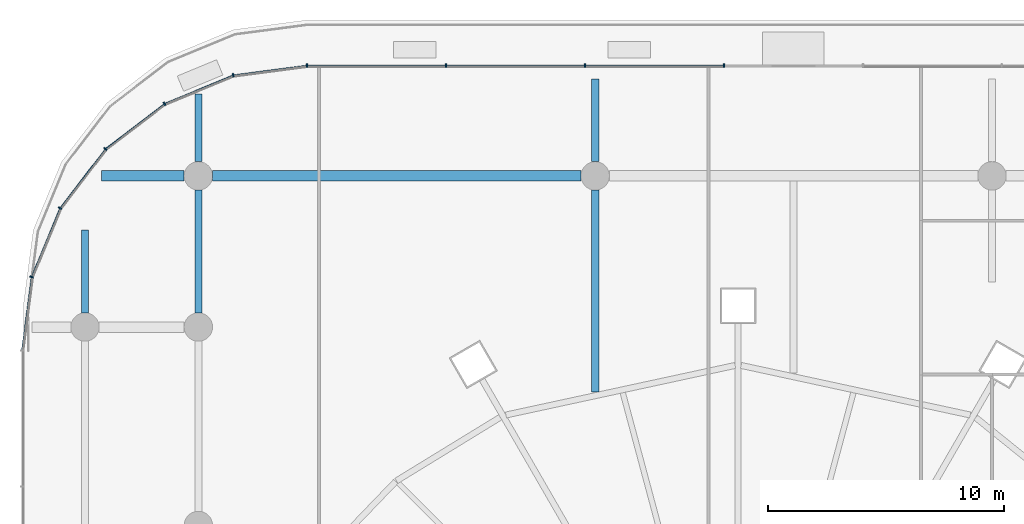
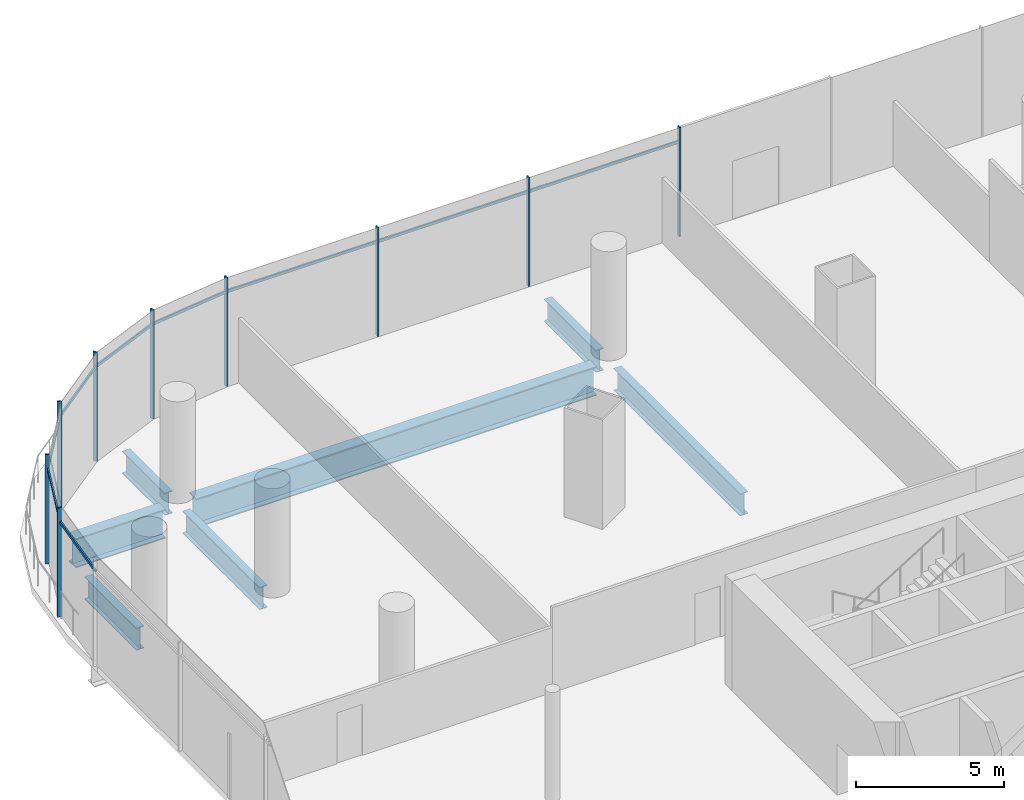
# One storey, part 19 of 43: 18 members, 7 beams, 1 element without a shape of its own.
"""IFC4 building model written with IfcOpenShell, lengths in metres."""

from ifc_helpers import new_model, si_unit, direction, frame, origin, origin_2d, place, context, subcontext, project, spatial, rectangle, i_section, extrude, material, material_profile, profile_set, type_object, element, aggregate, save


model = new_model("IFC4")

# Units and contexts
model_context = context("Model", 3, precision=1e-05, world=origin(), true_north=direction((0.0, 1.0)))
body_context = subcontext(model_context, "Body", "Model", "MODEL_VIEW")
ifc_project = project(units=[si_unit("LENGTHUNIT", "METRE"), si_unit("AREAUNIT", "SQUARE_METRE"), si_unit("VOLUMEUNIT", "CUBIC_METRE"), si_unit("PLANEANGLEUNIT", "RADIAN"), si_unit("MASSUNIT", "GRAM", prefix="KILO")], contexts=[model_context])

# Site, building, storey
site_placement = place(None, origin())
site = spatial("IfcSite", under=ifc_project, at=site_placement, CompositionType="ELEMENT")
building_placement = place(site_placement, origin())
building = spatial("IfcBuilding", under=site, at=building_placement, Name="Rimbun Link Towers", CompositionType="ELEMENT")
storey_placement = place(building_placement, frame((0.0, 0.0, 12.0)))
storey = spatial("IfcBuildingStorey", under=building, at=storey_placement, Name="L02", CompositionType="ELEMENT", Elevation=12.0)

# Curtain wall, members
ifc_material_1 = material(Name="Aluminium 6063-T6 and low-iron glass", Category="aluminium")
curtain_wall_type = type_object("IfcCurtainWallType", Name="CW3 podium shopfront", PredefinedType="NOTDEFINED", material=ifc_material_1)
curtain_wall_placement = place(storey_placement, origin())
curtain_wall = element("IfcCurtainWall", 1, at=curtain_wall_placement, inside=storey, type_object=curtain_wall_type, Name="CW3 L02 PD", PredefinedType="NOTDEFINED")
ifc_material_2 = material(Name="Aluminium 6063-T6", Category="aluminium")
ifc_material_profile_1 = material_profile(ifc_material_2, rectangle(XDim=0.14990234375, YDim=0.06005859375, at=origin_2d()), Name="MULLION 60X150")
ifc_profile_set_1 = profile_set([ifc_material_profile_1], Name="Aluminium 6063-T6")
member_type_1 = type_object("IfcMemberType", Name="CW3 mullion 60X150", PredefinedType="MULLION", material=ifc_profile_set_1)
member_1_placement = place(storey_placement, frame((-32.35302734375, 32.074951171875, 0.0), z_axis=(0.0, 0.0, 1.0), x_axis=(0.0, 1.0, 0.0)))
member_1 = element("IfcMember", 2, at=member_1_placement, type_object=member_type_1, Name="CW3 mullion", PredefinedType="MULLION", context=body_context, shape_type="SweptSolid", body=[
    extrude(rectangle(XDim=0.14990234375, YDim=0.06005859375, at=origin_2d()), origin(), (0.0, 0.0, 1.0), 4.5),
])
member_2_placement = place(storey_placement, frame((-38.2353515625, 32.074951171875, 0.0), z_axis=(0.0, 0.0, 1.0), x_axis=(0.0, 1.0, 0.0)))
member_2 = element("IfcMember", 3, at=member_2_placement, type_object=member_type_1, Name="CW3 mullion", PredefinedType="MULLION", context=body_context, shape_type="SweptSolid", body=[
    extrude(rectangle(XDim=0.14990234375, YDim=0.06005859375, at=origin_2d()), origin(), (0.0, 0.0, 1.0), 4.5),
])
member_3_placement = place(storey_placement, frame((-44.11767578125, 32.074951171875, 0.0), z_axis=(0.0, 0.0, 1.0), x_axis=(0.0, 1.0, 0.0)))
member_3 = element("IfcMember", 4, at=member_3_placement, type_object=member_type_1, Name="CW3 mullion", PredefinedType="MULLION", context=body_context, shape_type="SweptSolid", body=[
    extrude(rectangle(XDim=0.14990234375, YDim=0.06005859375, at=origin_2d()), origin(), (0.0, 0.0, 1.0), 4.5),
])
member_4_placement = place(storey_placement, frame((-50.0048828125, 32.074951171875, 0.0), z_axis=(0.0, 0.0, 1.0), x_axis=(-0.065405288299, 0.997858781723, 0.0)))
member_4 = element("IfcMember", 5, at=member_4_placement, type_object=member_type_1, Name="CW3 mullion", PredefinedType="MULLION", context=body_context, shape_type="SweptSolid", body=[
    extrude(rectangle(XDim=0.14990234375, YDim=0.06005859375, at=origin_2d()), origin(), (0.0, 0.0, 1.0), 4.5),
])
member_5_placement = place(storey_placement, frame((-53.125244140625, 31.66357421875, 0.0), z_axis=(0.0, 0.0, 1.0), x_axis=(-0.258818729038, 0.965925910978, 0.0)))
member_5 = element("IfcMember", 6, at=member_5_placement, type_object=member_type_1, Name="CW3 mullion", PredefinedType="MULLION", context=body_context, shape_type="SweptSolid", body=[
    extrude(rectangle(XDim=0.14990234375, YDim=0.06005859375, at=origin_2d()), origin(), (0.0, 0.0, 1.0), 4.5),
])
member_6_placement = place(storey_placement, frame((-56.03759765625, 30.457275390625, 0.0), z_axis=(0.0, 0.0, 1.0), x_axis=(-0.499993701568, 0.866029040155, 0.0)))
member_6 = element("IfcMember", 7, at=member_6_placement, type_object=member_type_1, Name="CW3 mullion", PredefinedType="MULLION", context=body_context, shape_type="SweptSolid", body=[
    extrude(rectangle(XDim=0.14990234375, YDim=0.06005859375, at=origin_2d()), origin(), (0.0, 0.0, 1.0), 4.5),
])
member_7_placement = place(storey_placement, frame((-58.538330078125, 28.538330078125, 0.0), z_axis=(0.0, 0.0, 1.0), x_axis=(-0.707106781187, 0.707106781187, 0.0)))
member_7 = element("IfcMember", 8, at=member_7_placement, type_object=member_type_1, Name="CW3 mullion", PredefinedType="MULLION", context=body_context, shape_type="SweptSolid", body=[
    extrude(rectangle(XDim=0.14990234375, YDim=0.06005859375, at=origin_2d()), origin(), (0.0, 0.0, 1.0), 4.5),
])
member_8_placement = place(storey_placement, frame((-60.457275390625, 26.03759765625, 0.0), z_axis=(0.0, 0.0, 1.0), x_axis=(-0.866029040155, 0.499993701568, 0.0)))
member_8 = element("IfcMember", 9, at=member_8_placement, type_object=member_type_1, Name="CW3 mullion", PredefinedType="MULLION", context=body_context, shape_type="SweptSolid", body=[
    extrude(rectangle(XDim=0.14990234375, YDim=0.06005859375, at=origin_2d()), origin(), (0.0, 0.0, 1.0), 4.5),
])
member_9_placement = place(storey_placement, frame((-61.66357421875, 23.125244140625, 0.0), z_axis=(0.0, 0.0, 1.0), x_axis=(-0.965925910978, 0.258818729038, 0.0)))
member_9 = element("IfcMember", 10, at=member_9_placement, type_object=member_type_1, Name="CW3 mullion", PredefinedType="MULLION", context=body_context, shape_type="SweptSolid", body=[
    extrude(rectangle(XDim=0.14990234375, YDim=0.06005859375, at=origin_2d()), origin(), (0.0, 0.0, 1.0), 4.5),
])
ifc_material_3 = material(Name="Aluminium 6063-T6", Category="aluminium")
ifc_material_profile_2 = material_profile(ifc_material_3, rectangle(XDim=0.06005859375, YDim=0.1201171875, at=origin_2d()), Name="TRANSOM 60X120")
ifc_profile_set_2 = profile_set([ifc_material_profile_2], Name="Aluminium 6063-T6")
member_type_2 = type_object("IfcMemberType", Name="CW3 transom 60X120", PredefinedType="USERDEFINED", material=ifc_profile_set_2)
member_10_placement = place(storey_placement, frame((-38.205322265625, 32.053955078125, 3.89990234375), z_axis=(1.0, 0.0, 0.0), x_axis=(0.0, 1.0, 0.0)))
member_10 = element("IfcMember", 11, at=member_10_placement, type_object=member_type_2, Name="CW3 transom", ObjectType="TRANSOM", PredefinedType="USERDEFINED", context=body_context, shape_type="SweptSolid", body=[
    extrude(rectangle(XDim=0.06005859375, YDim=0.1201171875, at=origin_2d()), origin(), (0.0, 0.0, 1.0), 5.822265625),
])
member_11_placement = place(storey_placement, frame((-44.087646484375, 32.053955078125, 3.89990234375), z_axis=(1.0, 0.0, 0.0), x_axis=(0.0, 1.0, 0.0)))
member_11 = element("IfcMember", 12, at=member_11_placement, type_object=member_type_2, Name="CW3 transom", ObjectType="TRANSOM", PredefinedType="USERDEFINED", context=body_context, shape_type="SweptSolid", body=[
    extrude(rectangle(XDim=0.06005859375, YDim=0.1201171875, at=origin_2d()), origin(), (0.0, 0.0, 1.0), 5.822265625),
])
member_12_placement = place(storey_placement, frame((-49.969970703125, 32.053955078125, 3.89990234375), z_axis=(1.0, 0.0, 0.0), x_axis=(0.0, 1.0, 0.0)))
member_12 = element("IfcMember", 13, at=member_12_placement, type_object=member_type_2, Name="CW3 transom", ObjectType="TRANSOM", PredefinedType="USERDEFINED", context=body_context, shape_type="SweptSolid", body=[
    extrude(rectangle(XDim=0.06005859375, YDim=0.1201171875, at=origin_2d()), origin(), (0.0, 0.0, 1.0), 5.822265625),
])
member_13_placement = place(storey_placement, frame((-53.0830078125, 31.6484375, 3.89990234375), z_axis=(0.991441037829, 0.130555231638, 0.0), x_axis=(-0.130555231638, 0.991441037829, 0.0)))
member_13 = element("IfcMember", 14, at=member_13_placement, type_object=member_type_2, Name="CW3 transom", ObjectType="TRANSOM", PredefinedType="USERDEFINED", context=body_context, shape_type="SweptSolid", body=[
    extrude(rectangle(XDim=0.06005859375, YDim=0.1201171875, at=origin_2d()), origin(), (0.0, 0.0, 1.0), 3.072509765625),
])
member_14_placement = place(storey_placement, frame((-55.992919921875, 30.45361328125, 3.89990234375), z_axis=(0.923881248716, 0.382679289053, 0.0), x_axis=(-0.382679289053, 0.923881248716, 0.0)))
member_14 = element("IfcMember", 15, at=member_14_placement, type_object=member_type_2, Name="CW3 transom", ObjectType="TRANSOM", PredefinedType="USERDEFINED", context=body_context, shape_type="SweptSolid", body=[
    extrude(rectangle(XDim=0.06005859375, YDim=0.1201171875, at=origin_2d()), origin(), (0.0, 0.0, 1.0), 3.072509765625),
])
member_15_placement = place(storey_placement, frame((-58.494384765625, 28.54638671875, 3.89990234375), z_axis=(0.793344129687, 0.608773432314, 0.0), x_axis=(-0.608773432314, 0.793344129687, 0.0)))
member_15 = element("IfcMember", 16, at=member_15_placement, type_object=member_type_2, Name="CW3 transom", ObjectType="TRANSOM", PredefinedType="USERDEFINED", context=body_context, shape_type="SweptSolid", body=[
    extrude(rectangle(XDim=0.06005859375, YDim=0.1201171875, at=origin_2d()), origin(), (0.0, 0.0, 1.0), 3.07275390625),
])
member_16_placement = place(storey_placement, frame((-60.4169921875, 26.056640625, 3.89990234375), z_axis=(0.608773432314, 0.793344129687, 0.0), x_axis=(-0.793344129687, 0.608773432314, 0.0)))
member_16 = element("IfcMember", 17, at=member_16_placement, type_object=member_type_2, Name="CW3 transom", ObjectType="TRANSOM", PredefinedType="USERDEFINED", context=body_context, shape_type="SweptSolid", body=[
    extrude(rectangle(XDim=0.06005859375, YDim=0.1201171875, at=origin_2d()), origin(), (0.0, 0.0, 1.0), 3.07275390625),
])
member_17_placement = place(storey_placement, frame((-61.62939453125, 23.154296875, 3.89990234375), z_axis=(0.382679289053, 0.923881248716, 0.0), x_axis=(-0.923881248716, 0.382679289053, 0.0)))
member_17 = element("IfcMember", 18, at=member_17_placement, type_object=member_type_2, Name="CW3 transom", ObjectType="TRANSOM", PredefinedType="USERDEFINED", context=body_context, shape_type="SweptSolid", body=[
    extrude(rectangle(XDim=0.06005859375, YDim=0.1201171875, at=origin_2d()), origin(), (0.0, 0.0, 1.0), 3.072509765625),
])
member_18_placement = place(storey_placement, frame((-62.049560546875, 20.036865234375, 3.89990234375), z_axis=(0.130555231638, 0.991441037829, 0.0), x_axis=(-0.991441037829, 0.130555231638, 0.0)))
member_18 = element("IfcMember", 19, at=member_18_placement, type_object=member_type_2, Name="CW3 transom", ObjectType="TRANSOM", PredefinedType="USERDEFINED", context=body_context, shape_type="SweptSolid", body=[
    extrude(rectangle(XDim=0.06005859375, YDim=0.1201171875, at=origin_2d()), origin(), (0.0, 0.0, 1.0), 3.072509765625),
])
aggregate(curtain_wall, [member_1, member_2, member_3, member_4, member_5, member_6, member_7, member_8, member_9, member_10, member_11, member_12, member_13, member_14, member_15, member_16, member_17, member_18])

# Beams
ifc_material_4 = material(Name="Steel S355J2", Category="steel")
ifc_material_profile_3 = material_profile(ifc_material_4, i_section(OverallWidth=0.449951171875, OverallDepth=1.199951171875, WebThickness=0.030029296875, FlangeThickness=0.044921875, at=origin_2d()), Name="PG 1200x450x30/45")
ifc_profile_set_3 = profile_set([ifc_material_profile_3], Name="Steel S355J2")
beam_type_1 = type_object("IfcBeamType", Name="PG 1200x450x30/45", PredefinedType="BEAM", material=ifc_profile_set_3)
beam_1_placement = place(storey_placement, frame((-58.699951171875, 27.39990234375, -0.89990234375), z_axis=(1.0, 0.0, 0.0), x_axis=(0.0, 1.0, 0.0)))
element("IfcBeam", 20, at=beam_1_placement, inside=storey, type_object=beam_type_1, Name="Grid beam L02 +27.4", PredefinedType="BEAM", context=body_context, shape_type="SweptSolid", body=[
    extrude(i_section(OverallWidth=0.449951171875, OverallDepth=1.199951171875, WebThickness=0.030029296875, FlangeThickness=0.044921875, at=origin_2d()), origin(), (0.0, 0.0, 1.0), 3.5),
])
beam_2_placement = place(storey_placement, frame((-54.0, 27.39990234375, -0.89990234375), z_axis=(1.0, 0.0, 0.0), x_axis=(0.0, 1.0, 0.0)))
element("IfcBeam", 21, at=beam_2_placement, inside=storey, type_object=beam_type_1, Name="Grid beam L02 +27.4", PredefinedType="BEAM", context=body_context, shape_type="SweptSolid", body=[
    extrude(i_section(OverallWidth=0.449951171875, OverallDepth=1.199951171875, WebThickness=0.030029296875, FlangeThickness=0.044921875, at=origin_2d()), origin(), (0.0, 0.0, 1.0), 15.60009765625),
])
ifc_material_5 = material(Name="Steel S355J2", Category="steel")
ifc_material_profile_4 = material_profile(ifc_material_5, i_section(OverallWidth=0.305419921875, OverallDepth=0.91845703125, WebThickness=0.017333984375, FlangeThickness=0.02783203125, at=origin_2d()), Name="UB 914x305x253")
ifc_profile_set_4 = profile_set([ifc_material_profile_4], Name="Steel S355J2")
beam_type_2 = type_object("IfcBeamType", Name="UB 914x305x253", PredefinedType="BEAM", material=ifc_profile_set_4)
beam_3_placement = place(storey_placement, frame((-59.39990234375, 21.60009765625, -0.75927734375), z_axis=(0.0, 1.0, 0.0), x_axis=(-1.0, 0.0, 0.0)))
element("IfcBeam", 22, at=beam_3_placement, inside=storey, type_object=beam_type_2, Name="Grid beam L02 -59.4", PredefinedType="BEAM", context=body_context, shape_type="SweptSolid", body=[
    extrude(i_section(OverallWidth=0.305419921875, OverallDepth=0.91845703125, WebThickness=0.017333984375, FlangeThickness=0.02783203125, at=origin_2d()), origin(), (0.0, 0.0, 1.0), 3.5),
])
beam_4_placement = place(storey_placement, frame((-54.60009765625, 21.60009765625, -0.75927734375), z_axis=(0.0, 1.0, 0.0), x_axis=(-1.0, 0.0, 0.0)))
element("IfcBeam", 23, at=beam_4_placement, inside=storey, type_object=beam_type_2, Name="Grid beam L02 -54.6", PredefinedType="BEAM", context=body_context, shape_type="SweptSolid", body=[
    extrude(i_section(OverallWidth=0.305419921875, OverallDepth=0.91845703125, WebThickness=0.017333984375, FlangeThickness=0.02783203125, at=origin_2d()), origin(), (0.0, 0.0, 1.0), 5.199951171875),
])
beam_5_placement = place(storey_placement, frame((-54.60009765625, 28.0, -0.75927734375), z_axis=(0.0, 1.0, 0.0), x_axis=(-1.0, 0.0, 0.0)))
element("IfcBeam", 24, at=beam_5_placement, inside=storey, type_object=beam_type_2, Name="Grid beam L02 -54.6", PredefinedType="BEAM", context=body_context, shape_type="SweptSolid", body=[
    extrude(i_section(OverallWidth=0.305419921875, OverallDepth=0.91845703125, WebThickness=0.017333984375, FlangeThickness=0.02783203125, at=origin_2d()), origin(), (0.0, 0.0, 1.0), 2.875),
])
beam_6_placement = place(storey_placement, frame((-37.800048828125, 18.2578125, -0.75927734375), z_axis=(0.0, 1.0, 0.0), x_axis=(-1.0, 0.0, 0.0)))
element("IfcBeam", 25, at=beam_6_placement, inside=storey, type_object=beam_type_2, Name="Grid beam L02 -37.8", PredefinedType="BEAM", context=body_context, shape_type="SweptSolid", body=[
    extrude(i_section(OverallWidth=0.305419921875, OverallDepth=0.91845703125, WebThickness=0.017333984375, FlangeThickness=0.02783203125, at=origin_2d()), origin(), (0.0, 0.0, 1.0), 8.542236328125),
])
beam_7_placement = place(storey_placement, frame((-37.800048828125, 28.0, -0.75927734375), z_axis=(0.0, 1.0, 0.0), x_axis=(-1.0, 0.0, 0.0)))
element("IfcBeam", 26, at=beam_7_placement, inside=storey, type_object=beam_type_2, Name="Grid beam L02 -37.8", PredefinedType="BEAM", context=body_context, shape_type="SweptSolid", body=[
    extrude(i_section(OverallWidth=0.305419921875, OverallDepth=0.91845703125, WebThickness=0.017333984375, FlangeThickness=0.02783203125, at=origin_2d()), origin(), (0.0, 0.0, 1.0), 3.5),
])

save(model, "model.ifc")
